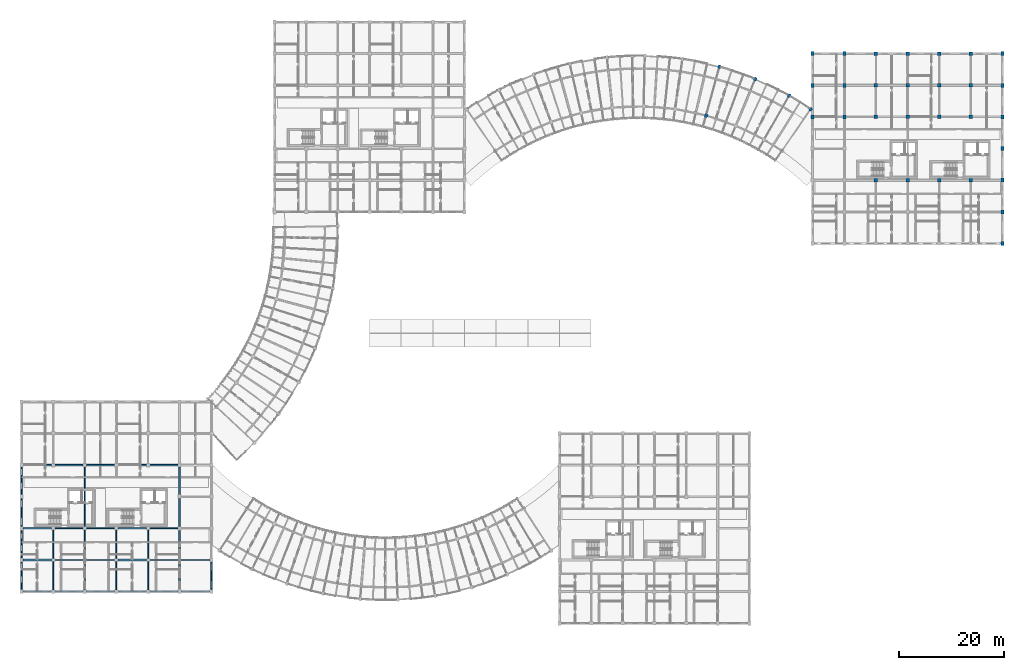
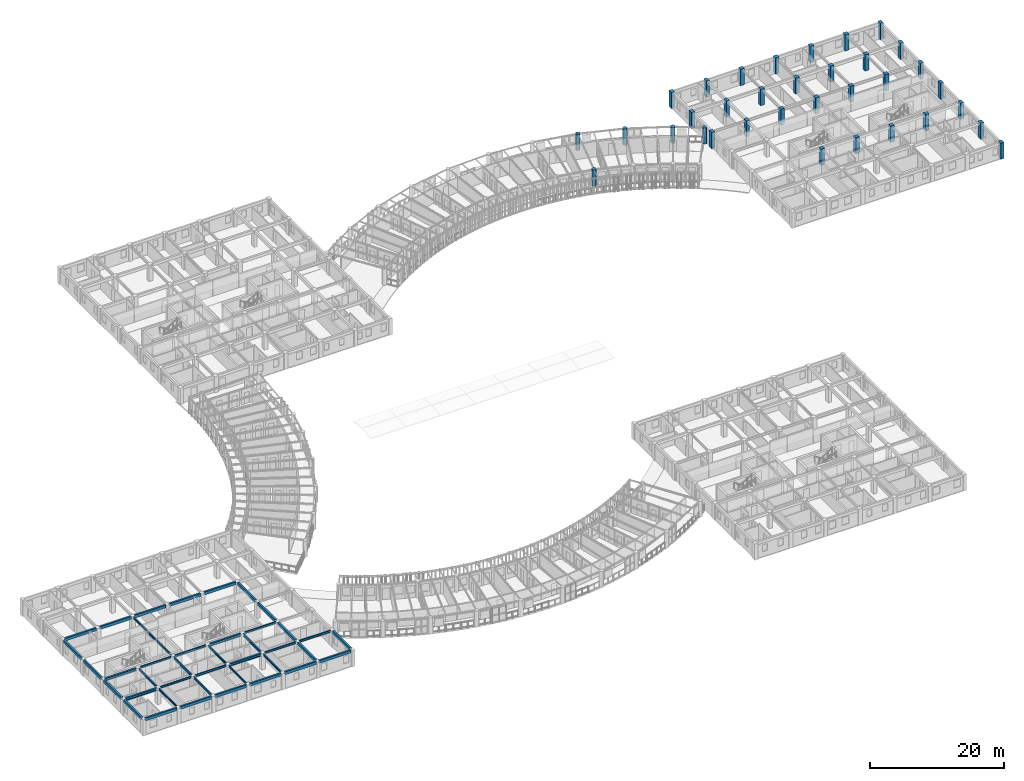
# One storey, part 2 of 100: 40 beams, 34 columns.
"""IFC4 building model written with IfcOpenShell, lengths in metres."""

from ifc_helpers import new_model, si_unit, direction, frame, origin, origin_2d, place, context, subcontext, project, spatial, rectangle, circle, i_section, extrude, material, material_profile, profile_set, type_object, element, save


model = new_model("IFC4")

# Units and contexts
model_context = context("Model", 3, precision=1e-05, world=origin(), true_north=direction((0.0, 1.0)))
body_context = subcontext(model_context, "Body", "Model", "MODEL_VIEW")
ifc_project = project(units=[si_unit("LENGTHUNIT", "METRE"), si_unit("AREAUNIT", "SQUARE_METRE"), si_unit("VOLUMEUNIT", "CUBIC_METRE"), si_unit("PLANEANGLEUNIT", "RADIAN"), si_unit("MASSUNIT", "GRAM", prefix="KILO"), si_unit("POWERUNIT", "WATT"), si_unit("THERMODYNAMICTEMPERATUREUNIT", "KELVIN")], contexts=[model_context])

# Site, building, storey
site_placement = place(None, origin())
site = spatial("IfcSite", under=ifc_project, at=site_placement, CompositionType="ELEMENT")
building_placement = place(site_placement, origin())
building = spatial("IfcBuilding", under=site, at=building_placement, Name="Ruvembo Vaulted Housing Court", CompositionType="ELEMENT")
storey_placement = place(building_placement, frame((0.0, 0.0, 10.89990234375)))
storey = spatial("IfcBuildingStorey", under=building, at=storey_placement, Name="L03", CompositionType="ELEMENT", Elevation=10.89990234375)

# Columns
ifc_material_1 = material(Name="Concrete C40/50", Category="concrete")
ifc_material_profile_1 = material_profile(ifc_material_1, rectangle(XDim=0.550048828125, YDim=0.75, at=origin_2d()), Name="RC 550x750")
ifc_profile_set_1 = profile_set([ifc_material_profile_1], Name="Concrete C40/50")
column_type_1 = type_object("IfcColumnType", Name="COL-RC-550x750", PredefinedType="COLUMN", material=ifc_profile_set_1)
for number, where, z_axis, x_axis, name in (
    (1, (150.0, 96.0, 0.0), (0.0, 0.0, 1.0), (1.0, 0.0, 0.0), "L03 Column (150,96)"),
    (2, (150.0, 102.0, 0.0), (0.0, 0.0, 1.0), (1.0, 0.0, 0.0), "L03 Column (150,102)"),
    (3, (150.0, 108.0, 0.0), (0.0, 0.0, 1.0), (1.0, 0.0, 0.0), "L03 Column (150,108)"),
    (4, (156.0, 96.0, 0.0), (0.0, 0.0, 1.0), (1.0, 0.0, 0.0), "L03 Column (156,96)"),
    (5, (156.0, 102.0, 0.0), (0.0, 0.0, 1.0), (1.0, 0.0, 0.0), "L03 Column (156,102)"),
    (6, (156.0, 108.0, 0.0), (0.0, 0.0, 1.0), (1.0, 0.0, 0.0), "L03 Column (156,108)"),
    (7, (186.0, 72.0, 0.0), (0.0, 0.0, 1.0), (1.0, 0.0, 0.0), "L03 Column (186,72)"),
    (8, (186.0, 78.0, 0.0), (0.0, 0.0, 1.0), (1.0, 0.0, 0.0), "L03 Column (186,78)"),
    (9, (186.0, 84.0, 0.0), (0.0, 0.0, 1.0), (1.0, 0.0, 0.0), "L03 Column (186,84)"),
    (10, (186.0, 90.0, 0.0), (0.0, 0.0, 1.0), (1.0, 0.0, 0.0), "L03 Column (186,90)"),
    (11, (186.0, 96.0, 0.0), (0.0, 0.0, 1.0), (1.0, 0.0, 0.0), "L03 Column (186,96)"),
    (12, (186.0, 102.0, 0.0), (0.0, 0.0, 1.0), (1.0, 0.0, 0.0), "L03 Column (186,102)"),
    (13, (186.0, 108.0, 0.0), (0.0, 0.0, 1.0), (1.0, 0.0, 0.0), "L03 Column (186,108)"),
):
    element("IfcColumn", number, at=place(storey_placement, frame(where, z_axis=z_axis, x_axis=x_axis)), inside=storey, type_object=column_type_1, Name=name, PredefinedType="COLUMN", context=body_context, shape_type="SweptSolid", body=[
        extrude(rectangle(XDim=0.550048828125, YDim=0.75, at=origin_2d()), origin(), (0.0, 0.0, 1.0), 2.960205078125),
    ])
ifc_material_profile_2 = material_profile(ifc_material_1, rectangle(XDim=0.64990234375, YDim=0.64990234375, at=origin_2d()), Name="RC 650x650")
ifc_profile_set_2 = profile_set([ifc_material_profile_2], Name="Concrete C40/50")
column_type_2 = type_object("IfcColumnType", Name="COL-RC-650", PredefinedType="COLUMN", material=ifc_profile_set_2)
for number, where, z_axis, x_axis, name in (
    (14, (162.0, 84.0, 0.0), (0.0, 0.0, 1.0), (1.0, 0.0, 0.0), "L03 Column (162,84)"),
    (15, (162.0, 96.0, 0.0), (0.0, 0.0, 1.0), (1.0, 0.0, 0.0), "L03 Column (162,96)"),
    (16, (162.0, 102.0, 0.0), (0.0, 0.0, 1.0), (1.0, 0.0, 0.0), "L03 Column (162,102)"),
    (17, (162.0, 108.0, 0.0), (0.0, 0.0, 1.0), (1.0, 0.0, 0.0), "L03 Column (162,108)"),
    (18, (168.0, 84.0, 0.0), (0.0, 0.0, 1.0), (1.0, 0.0, 0.0), "L03 Column (168,84)"),
    (19, (168.0, 96.0, 0.0), (0.0, 0.0, 1.0), (1.0, 0.0, 0.0), "L03 Column (168,96)"),
    (20, (168.0, 102.0, 0.0), (0.0, 0.0, 1.0), (1.0, 0.0, 0.0), "L03 Column (168,102)"),
    (21, (168.0, 108.0, 0.0), (0.0, 0.0, 1.0), (1.0, 0.0, 0.0), "L03 Column (168,108)"),
    (22, (174.0, 84.0, 0.0), (0.0, 0.0, 1.0), (1.0, 0.0, 0.0), "L03 Column (174,84)"),
    (23, (174.0, 96.0, 0.0), (0.0, 0.0, 1.0), (1.0, 0.0, 0.0), "L03 Column (174,96)"),
    (24, (174.0, 102.0, 0.0), (0.0, 0.0, 1.0), (1.0, 0.0, 0.0), "L03 Column (174,102)"),
    (25, (174.0, 108.0, 0.0), (0.0, 0.0, 1.0), (1.0, 0.0, 0.0), "L03 Column (174,108)"),
    (26, (180.0, 84.0, 0.0), (0.0, 0.0, 1.0), (1.0, 0.0, 0.0), "L03 Column (180,84)"),
    (27, (180.0, 96.0, 0.0), (0.0, 0.0, 1.0), (1.0, 0.0, 0.0), "L03 Column (180,96)"),
    (28, (180.0, 102.0, 0.0), (0.0, 0.0, 1.0), (1.0, 0.0, 0.0), "L03 Column (180,102)"),
    (29, (180.0, 108.0, 0.0), (0.0, 0.0, 1.0), (1.0, 0.0, 0.0), "L03 Column (180,108)"),
):
    element("IfcColumn", number, at=place(storey_placement, frame(where, z_axis=z_axis, x_axis=x_axis)), inside=storey, type_object=column_type_2, Name=name, PredefinedType="COLUMN", context=body_context, shape_type="SweptSolid", body=[
        extrude(rectangle(XDim=0.64990234375, YDim=0.64990234375, at=origin_2d()), origin(), (0.0, 0.0, 1.0), 2.960205078125),
    ])
ifc_material_profile_3 = material_profile(ifc_material_1, circle(Radius=0.35009765625, at=origin_2d()), Name="RC D700")
ifc_profile_set_3 = profile_set([ifc_material_profile_3], Name="Concrete C40/50")
column_type_3 = type_object("IfcColumnType", Name="PILOTIS-D700", PredefinedType="COLUMN", material=ifc_profile_set_3)
for number, where, z_axis, x_axis, name in (
    (30, (129.794677734375, 96.26318359375, 0.0), (0.0, 0.0, 1.0), (1.0, 0.0, 0.0), "L03 Scooped Pier CP-SC3-F08"),
    (31, (132.353759765625, 105.51611328125, 0.0), (0.0, 0.0, 1.0), (1.0, 0.0, 0.0), "L03 Scooped Pier CP-SC3-B08"),
    (32, (139.13037109375, 103.178955078125, 0.0), (0.0, 0.0, 1.0), (1.0, 0.0, 0.0), "L03 Scooped Pier CP-SC3-B09"),
    (33, (145.564453125, 100.018310546875, 0.0), (0.0, 0.0, 1.0), (1.0, 0.0, 0.0), "L03 Scooped Pier CP-SC3-B10"),
    (34, (149.61376953125, 97.477294921875, 0.0), (0.0, 0.0, 1.0), (1.0, 0.0, 0.0), "L03 Scooped Pier CP-SC3-B11"),
):
    element("IfcColumn", number, at=place(storey_placement, frame(where, z_axis=z_axis, x_axis=x_axis)), inside=storey, type_object=column_type_3, Name=name, PredefinedType="COLUMN", context=body_context, shape_type="SweptSolid", body=[
        extrude(circle(Radius=0.35009765625, at=origin_2d()), origin(), (0.0, 0.0, 1.0), 2.947998046875),
    ])

# Beams
ifc_material_2 = material(Name="Steel S355J2", Category="steel")
ifc_material_profile_4 = material_profile(ifc_material_2, i_section(OverallWidth=0.300048828125, OverallDepth=0.5, WebThickness=0.014404296875, FlangeThickness=0.028076171875, FilletRadius=0.027099609375, at=origin_2d()), Name="HEB 320")
ifc_profile_set_4 = profile_set([ifc_material_profile_4], Name="Steel S355J2")
beam_type_1 = type_object("IfcBeamType", Name="BM-ST-HEB320", PredefinedType="BEAM", material=ifc_profile_set_4)
beam_1_placement = place(storey_placement, frame((0.260009765625, 12.0, 2.676025390625), z_axis=(1.0, 0.0, 0.0), x_axis=(0.0, 1.0, 0.0)))
element("IfcBeam", 35, at=beam_1_placement, inside=storey, type_object=beam_type_1, Name="L03 Grid Beam X #1727", PredefinedType="BEAM", context=body_context, shape_type="SweptSolid", body=[
    extrude(i_section(OverallWidth=0.300048828125, OverallDepth=0.5, WebThickness=0.014404296875, FlangeThickness=0.028076171875, FilletRadius=0.027099609375, at=origin_2d()), origin(), (0.0, 0.0, 1.0), 5.429931640625),
])
beam_2_placement = place(storey_placement, frame((18.31005859375, 12.0, 2.676025390625), z_axis=(1.0, 0.0, 0.0), x_axis=(0.0, 1.0, 0.0)))
element("IfcBeam", 36, at=beam_2_placement, inside=storey, type_object=beam_type_1, Name="L03 Grid Beam X #1730", PredefinedType="BEAM", context=body_context, shape_type="SweptSolid", body=[
    extrude(i_section(OverallWidth=0.300048828125, OverallDepth=0.5, WebThickness=0.014404296875, FlangeThickness=0.028076171875, FilletRadius=0.027099609375, at=origin_2d()), origin(), (0.0, 0.0, 1.0), 5.3798828125),
])
beam_3_placement = place(storey_placement, frame((0.260009765625, 18.0, 2.676025390625), z_axis=(1.0, 0.0, 0.0), x_axis=(0.0, 1.0, 0.0)))
element("IfcBeam", 37, at=beam_3_placement, inside=storey, type_object=beam_type_1, Name="L03 Grid Beam X #1739", PredefinedType="BEAM", context=body_context, shape_type="SweptSolid", body=[
    extrude(i_section(OverallWidth=0.300048828125, OverallDepth=0.5, WebThickness=0.014404296875, FlangeThickness=0.028076171875, FilletRadius=0.027099609375, at=origin_2d()), origin(), (0.0, 0.0, 1.0), 5.429931640625),
])
beam_4_placement = place(storey_placement, frame((18.31005859375, 18.0, 2.676025390625), z_axis=(1.0, 0.0, 0.0), x_axis=(0.0, 1.0, 0.0)))
element("IfcBeam", 38, at=beam_4_placement, inside=storey, type_object=beam_type_1, Name="L03 Grid Beam X #1742", PredefinedType="BEAM", context=body_context, shape_type="SweptSolid", body=[
    extrude(i_section(OverallWidth=0.300048828125, OverallDepth=0.5, WebThickness=0.014404296875, FlangeThickness=0.028076171875, FilletRadius=0.027099609375, at=origin_2d()), origin(), (0.0, 0.0, 1.0), 5.3798828125),
])
ifc_material_profile_5 = material_profile(ifc_material_2, i_section(OverallWidth=0.169921875, OverallDepth=0.360107421875, WebThickness=0.008056640625, FlangeThickness=0.0126953125, FilletRadius=0.01806640625, at=origin_2d()), Name="IPE 360")
ifc_profile_set_5 = profile_set([ifc_material_profile_5], Name="Steel S355J2")
beam_type_2 = type_object("IfcBeamType", Name="BM-ST-IPE360", PredefinedType="BEAM", material=ifc_profile_set_5)
beam_5_placement = place(storey_placement, frame((6.31005859375, 12.0, 2.74609375), z_axis=(1.0, 0.0, 0.0), x_axis=(0.0, 1.0, 0.0)))
element("IfcBeam", 39, at=beam_5_placement, inside=storey, type_object=beam_type_2, Name="L03 Grid Beam X #1728", PredefinedType="BEAM", context=body_context, shape_type="SweptSolid", body=[
    extrude(i_section(OverallWidth=0.169921875, OverallDepth=0.360107421875, WebThickness=0.008056640625, FlangeThickness=0.0126953125, FilletRadius=0.01806640625, at=origin_2d()), origin(), (0.0, 0.0, 1.0), 5.3798828125),
])
beam_6_placement = place(storey_placement, frame((24.31005859375, 12.0, 2.74609375), z_axis=(1.0, 0.0, 0.0), x_axis=(0.0, 1.0, 0.0)))
element("IfcBeam", 40, at=beam_6_placement, inside=storey, type_object=beam_type_2, Name="L03 Grid Beam X #1731", PredefinedType="BEAM", context=body_context, shape_type="SweptSolid", body=[
    extrude(i_section(OverallWidth=0.169921875, OverallDepth=0.360107421875, WebThickness=0.008056640625, FlangeThickness=0.0126953125, FilletRadius=0.01806640625, at=origin_2d()), origin(), (0.0, 0.0, 1.0), 5.429931640625),
])
beam_7_placement = place(storey_placement, frame((6.31005859375, 18.0, 2.74609375), z_axis=(1.0, 0.0, 0.0), x_axis=(0.0, 1.0, 0.0)))
element("IfcBeam", 41, at=beam_7_placement, inside=storey, type_object=beam_type_2, Name="L03 Grid Beam X #1740", PredefinedType="BEAM", context=body_context, shape_type="SweptSolid", body=[
    extrude(i_section(OverallWidth=0.169921875, OverallDepth=0.360107421875, WebThickness=0.008056640625, FlangeThickness=0.0126953125, FilletRadius=0.01806640625, at=origin_2d()), origin(), (0.0, 0.0, 1.0), 5.3798828125),
])
beam_8_placement = place(storey_placement, frame((24.31005859375, 18.0, 2.74609375), z_axis=(1.0, 0.0, 0.0), x_axis=(0.0, 1.0, 0.0)))
element("IfcBeam", 42, at=beam_8_placement, inside=storey, type_object=beam_type_2, Name="L03 Grid Beam X #1743", PredefinedType="BEAM", context=body_context, shape_type="SweptSolid", body=[
    extrude(i_section(OverallWidth=0.169921875, OverallDepth=0.360107421875, WebThickness=0.008056640625, FlangeThickness=0.0126953125, FilletRadius=0.01806640625, at=origin_2d()), origin(), (0.0, 0.0, 1.0), 5.429931640625),
])
for number, where, z_axis, x_axis, name in (
    (43, (6.0, 6.31005859375, 2.74609375), (0.0, 1.0, 0.0), (-1.0, 0.0, 0.0), "L03 Grid Beam Y #1863"),
    (44, (18.0, 6.31005859375, 2.74609375), (0.0, 1.0, 0.0), (-1.0, 0.0, 0.0), "L03 Grid Beam Y #1872"),
):
    element("IfcBeam", number, at=place(storey_placement, frame(where, z_axis=z_axis, x_axis=x_axis)), inside=storey, type_object=beam_type_2, Name=name, PredefinedType="BEAM", context=body_context, shape_type="SweptSolid", body=[
        extrude(i_section(OverallWidth=0.169921875, OverallDepth=0.360107421875, WebThickness=0.008056640625, FlangeThickness=0.0126953125, FilletRadius=0.01806640625, at=origin_2d()), origin(), (0.0, 0.0, 1.0), 5.3798828125),
    ])
ifc_material_profile_6 = material_profile(ifc_material_2, i_section(OverallWidth=0.179931640625, OverallDepth=0.39990234375, WebThickness=0.008544921875, FlangeThickness=0.013427734375, FilletRadius=0.02099609375, at=origin_2d()), Name="IPE 400")
ifc_profile_set_6 = profile_set([ifc_material_profile_6], Name="Steel S355J2")
beam_type_3 = type_object("IfcBeamType", Name="BM-ST-IPE400", PredefinedType="BEAM", material=ifc_profile_set_6)
beam_9_placement = place(storey_placement, frame((12.31005859375, 12.0, 2.72607421875), z_axis=(1.0, 0.0, 0.0), x_axis=(0.0, 1.0, 0.0)))
element("IfcBeam", 45, at=beam_9_placement, inside=storey, type_object=beam_type_3, Name="L03 Grid Beam X #1729", PredefinedType="BEAM", context=body_context, shape_type="SweptSolid", body=[
    extrude(i_section(OverallWidth=0.179931640625, OverallDepth=0.39990234375, WebThickness=0.008544921875, FlangeThickness=0.013427734375, FilletRadius=0.02099609375, at=origin_2d()), origin(), (0.0, 0.0, 1.0), 5.3798828125),
])
beam_10_placement = place(storey_placement, frame((30.260009765625, 12.0, 2.72607421875), z_axis=(1.0, 0.0, 0.0), x_axis=(0.0, 1.0, 0.0)))
element("IfcBeam", 46, at=beam_10_placement, inside=storey, type_object=beam_type_3, Name="L03 Grid Beam X #1732", PredefinedType="BEAM", context=body_context, shape_type="SweptSolid", body=[
    extrude(i_section(OverallWidth=0.179931640625, OverallDepth=0.39990234375, WebThickness=0.008544921875, FlangeThickness=0.013427734375, FilletRadius=0.02099609375, at=origin_2d()), origin(), (0.0, 0.0, 1.0), 5.47998046875),
])
for number, where, z_axis, x_axis, name in (
    (47, (12.31005859375, 18.0, 2.72607421875), (1.0, 0.0, 0.0), (0.0, 1.0, 0.0), "L03 Grid Beam X #1741"),
    (48, (6.0, 12.31005859375, 2.72607421875), (0.0, 1.0, 0.0), (-1.0, 0.0, 0.0), "L03 Grid Beam Y #1864"),
    (49, (12.0, 6.31005859375, 2.72607421875), (0.0, 1.0, 0.0), (-1.0, 0.0, 0.0), "L03 Grid Beam Y #1867"),
):
    element("IfcBeam", number, at=place(storey_placement, frame(where, z_axis=z_axis, x_axis=x_axis)), inside=storey, type_object=beam_type_3, Name=name, PredefinedType="BEAM", context=body_context, shape_type="SweptSolid", body=[
        extrude(i_section(OverallWidth=0.179931640625, OverallDepth=0.39990234375, WebThickness=0.008544921875, FlangeThickness=0.013427734375, FilletRadius=0.02099609375, at=origin_2d()), origin(), (0.0, 0.0, 1.0), 5.3798828125),
    ])
beam_11_placement = place(storey_placement, frame((12.0, 18.31005859375, 2.72607421875), z_axis=(0.0, 1.0, 0.0), x_axis=(-1.0, 0.0, 0.0)))
element("IfcBeam", 50, at=beam_11_placement, inside=storey, type_object=beam_type_3, Name="L03 Grid Beam Y #1869", PredefinedType="BEAM", context=body_context, shape_type="SweptSolid", body=[
    extrude(i_section(OverallWidth=0.179931640625, OverallDepth=0.39990234375, WebThickness=0.008544921875, FlangeThickness=0.013427734375, FilletRadius=0.02099609375, at=origin_2d()), origin(), (0.0, 0.0, 1.0), 11.3798828125),
])
for number, where, z_axis, x_axis, name in (
    (51, (18.0, 12.31005859375, 2.72607421875), (0.0, 1.0, 0.0), (-1.0, 0.0, 0.0), "L03 Grid Beam Y #1873"),
    (52, (24.0, 6.31005859375, 2.72607421875), (0.0, 1.0, 0.0), (-1.0, 0.0, 0.0), "L03 Grid Beam Y #1876"),
):
    element("IfcBeam", number, at=place(storey_placement, frame(where, z_axis=z_axis, x_axis=x_axis)), inside=storey, type_object=beam_type_3, Name=name, PredefinedType="BEAM", context=body_context, shape_type="SweptSolid", body=[
        extrude(i_section(OverallWidth=0.179931640625, OverallDepth=0.39990234375, WebThickness=0.008544921875, FlangeThickness=0.013427734375, FilletRadius=0.02099609375, at=origin_2d()), origin(), (0.0, 0.0, 1.0), 5.3798828125),
    ])
ifc_material_profile_7 = material_profile(ifc_material_2, i_section(OverallWidth=0.18994140625, OverallDepth=0.449951171875, WebThickness=0.009521484375, FlangeThickness=0.0146484375, FilletRadius=0.02099609375, at=origin_2d()), Name="IPE 450")
ifc_profile_set_7 = profile_set([ifc_material_profile_7], Name="Steel S355J2")
beam_type_4 = type_object("IfcBeamType", Name="BM-ST-IPE450", PredefinedType="BEAM", material=ifc_profile_set_7)
for number, where, z_axis, x_axis, name in (
    (53, (12.0, 12.31005859375, 2.701171875), (0.0, 1.0, 0.0), (-1.0, 0.0, 0.0), "L03 Grid Beam Y #1868"),
    (54, (24.0, 12.31005859375, 2.701171875), (0.0, 1.0, 0.0), (-1.0, 0.0, 0.0), "L03 Grid Beam Y #1877"),
):
    element("IfcBeam", number, at=place(storey_placement, frame(where, z_axis=z_axis, x_axis=x_axis)), inside=storey, type_object=beam_type_4, Name=name, PredefinedType="BEAM", context=body_context, shape_type="SweptSolid", body=[
        extrude(i_section(OverallWidth=0.18994140625, OverallDepth=0.449951171875, WebThickness=0.009521484375, FlangeThickness=0.0146484375, FilletRadius=0.02099609375, at=origin_2d()), origin(), (0.0, 0.0, 1.0), 5.3798828125),
    ])
ifc_material_3 = material(Name="Concrete C35/45", Category="concrete")
ifc_material_profile_8 = material_profile(ifc_material_3, rectangle(XDim=0.300048828125, YDim=0.5, at=origin_2d()), Name="RC 300x500")
ifc_profile_set_8 = profile_set([ifc_material_profile_8], Name="Concrete C35/45")
beam_type_5 = type_object("IfcBeamType", Name="SP-RC-300x500", PredefinedType="SPANDREL", material=ifc_profile_set_8)
beam_12_placement = place(storey_placement, frame((0.260009765625, 6.0, 2.710205078125), z_axis=(1.0, 0.0, 0.0), x_axis=(0.0, 1.0, 0.0)))
element("IfcBeam", 55, at=beam_12_placement, inside=storey, type_object=beam_type_5, Name="L03 Grid Beam X #1715", PredefinedType="SPANDREL", context=body_context, shape_type="SweptSolid", body=[
    extrude(rectangle(XDim=0.300048828125, YDim=0.5, at=origin_2d()), origin(), (0.0, 0.0, 1.0), 5.429931640625),
])
for number, where, z_axis, x_axis, name in (
    (56, (6.31005859375, 6.0, 2.710205078125), (1.0, 0.0, 0.0), (0.0, 1.0, 0.0), "L03 Grid Beam X #1716"),
    (57, (12.31005859375, 6.0, 2.710205078125), (1.0, 0.0, 0.0), (0.0, 1.0, 0.0), "L03 Grid Beam X #1717"),
    (58, (18.31005859375, 6.0, 2.710205078125), (1.0, 0.0, 0.0), (0.0, 1.0, 0.0), "L03 Grid Beam X #1718"),
):
    element("IfcBeam", number, at=place(storey_placement, frame(where, z_axis=z_axis, x_axis=x_axis)), inside=storey, type_object=beam_type_5, Name=name, PredefinedType="SPANDREL", context=body_context, shape_type="SweptSolid", body=[
        extrude(rectangle(XDim=0.300048828125, YDim=0.5, at=origin_2d()), origin(), (0.0, 0.0, 1.0), 5.3798828125),
    ])
beam_13_placement = place(storey_placement, frame((24.31005859375, 6.0, 2.710205078125), z_axis=(1.0, 0.0, 0.0), x_axis=(0.0, 1.0, 0.0)))
element("IfcBeam", 59, at=beam_13_placement, inside=storey, type_object=beam_type_5, Name="L03 Grid Beam X #1719", PredefinedType="SPANDREL", context=body_context, shape_type="SweptSolid", body=[
    extrude(rectangle(XDim=0.300048828125, YDim=0.5, at=origin_2d()), origin(), (0.0, 0.0, 1.0), 5.429931640625),
])
beam_14_placement = place(storey_placement, frame((30.260009765625, 6.0, 2.710205078125), z_axis=(1.0, 0.0, 0.0), x_axis=(0.0, 1.0, 0.0)))
element("IfcBeam", 60, at=beam_14_placement, inside=storey, type_object=beam_type_5, Name="L03 Grid Beam X #1720", PredefinedType="SPANDREL", context=body_context, shape_type="SweptSolid", body=[
    extrude(rectangle(XDim=0.300048828125, YDim=0.5, at=origin_2d()), origin(), (0.0, 0.0, 1.0), 5.47998046875),
])
beam_15_placement = place(storey_placement, frame((0.260009765625, 30.0, 2.710205078125), z_axis=(1.0, 0.0, 0.0), x_axis=(0.0, 1.0, 0.0)))
element("IfcBeam", 61, at=beam_15_placement, inside=storey, type_object=beam_type_5, Name="L03 Grid Beam X #1753", PredefinedType="SPANDREL", context=body_context, shape_type="SweptSolid", body=[
    extrude(rectangle(XDim=0.300048828125, YDim=0.5, at=origin_2d()), origin(), (0.0, 0.0, 1.0), 5.429931640625),
])
for number, where, z_axis, x_axis, name in (
    (62, (6.31005859375, 30.0, 2.710205078125), (1.0, 0.0, 0.0), (0.0, 1.0, 0.0), "L03 Grid Beam X #1754"),
    (63, (12.31005859375, 30.0, 2.710205078125), (1.0, 0.0, 0.0), (0.0, 1.0, 0.0), "L03 Grid Beam X #1755"),
    (64, (18.31005859375, 30.0, 2.710205078125), (1.0, 0.0, 0.0), (0.0, 1.0, 0.0), "L03 Grid Beam X #1756"),
):
    element("IfcBeam", number, at=place(storey_placement, frame(where, z_axis=z_axis, x_axis=x_axis)), inside=storey, type_object=beam_type_5, Name=name, PredefinedType="SPANDREL", context=body_context, shape_type="SweptSolid", body=[
        extrude(rectangle(XDim=0.300048828125, YDim=0.5, at=origin_2d()), origin(), (0.0, 0.0, 1.0), 5.3798828125),
    ])
beam_16_placement = place(storey_placement, frame((24.31005859375, 30.0, 2.710205078125), z_axis=(1.0, 0.0, 0.0), x_axis=(0.0, 1.0, 0.0)))
element("IfcBeam", 65, at=beam_16_placement, inside=storey, type_object=beam_type_5, Name="L03 Grid Beam X #1757", PredefinedType="SPANDREL", context=body_context, shape_type="SweptSolid", body=[
    extrude(rectangle(XDim=0.300048828125, YDim=0.5, at=origin_2d()), origin(), (0.0, 0.0, 1.0), 5.429931640625),
])
for number, where, z_axis, x_axis, name in (
    (66, (0.0, 6.360107421875, 2.710205078125), (0.0, 1.0, 0.0), (-1.0, 0.0, 0.0), "L03 Grid Beam Y #1857"),
    (67, (0.0, 12.360107421875, 2.710205078125), (0.0, 1.0, 0.0), (-1.0, 0.0, 0.0), "L03 Grid Beam Y #1858"),
    (68, (0.0, 18.360107421875, 2.710205078125), (0.0, 1.0, 0.0), (-1.0, 0.0, 0.0), "L03 Grid Beam Y #1859"),
    (69, (0.0, 24.360107421875, 2.710205078125), (0.0, 1.0, 0.0), (-1.0, 0.0, 0.0), "L03 Grid Beam Y #1860"),
    (70, (30.0, 6.360107421875, 2.710205078125), (0.0, 1.0, 0.0), (-1.0, 0.0, 0.0), "L03 Grid Beam Y #1880"),
    (71, (30.0, 12.360107421875, 2.710205078125), (0.0, 1.0, 0.0), (-1.0, 0.0, 0.0), "L03 Grid Beam Y #1881"),
    (72, (30.0, 18.360107421875, 2.710205078125), (0.0, 1.0, 0.0), (-1.0, 0.0, 0.0), "L03 Grid Beam Y #1882"),
    (73, (30.0, 24.360107421875, 2.710205078125), (0.0, 1.0, 0.0), (-1.0, 0.0, 0.0), "L03 Grid Beam Y #1883"),
    (74, (36.0, 6.360107421875, 2.710205078125), (0.0, 1.0, 0.0), (-1.0, 0.0, 0.0), "L03 Grid Beam Y #1886"),
):
    element("IfcBeam", number, at=place(storey_placement, frame(where, z_axis=z_axis, x_axis=x_axis)), inside=storey, type_object=beam_type_5, Name=name, PredefinedType="SPANDREL", context=body_context, shape_type="SweptSolid", body=[
        extrude(rectangle(XDim=0.300048828125, YDim=0.5, at=origin_2d()), origin(), (0.0, 0.0, 1.0), 5.27978515625),
    ])

save(model, "model.ifc")
